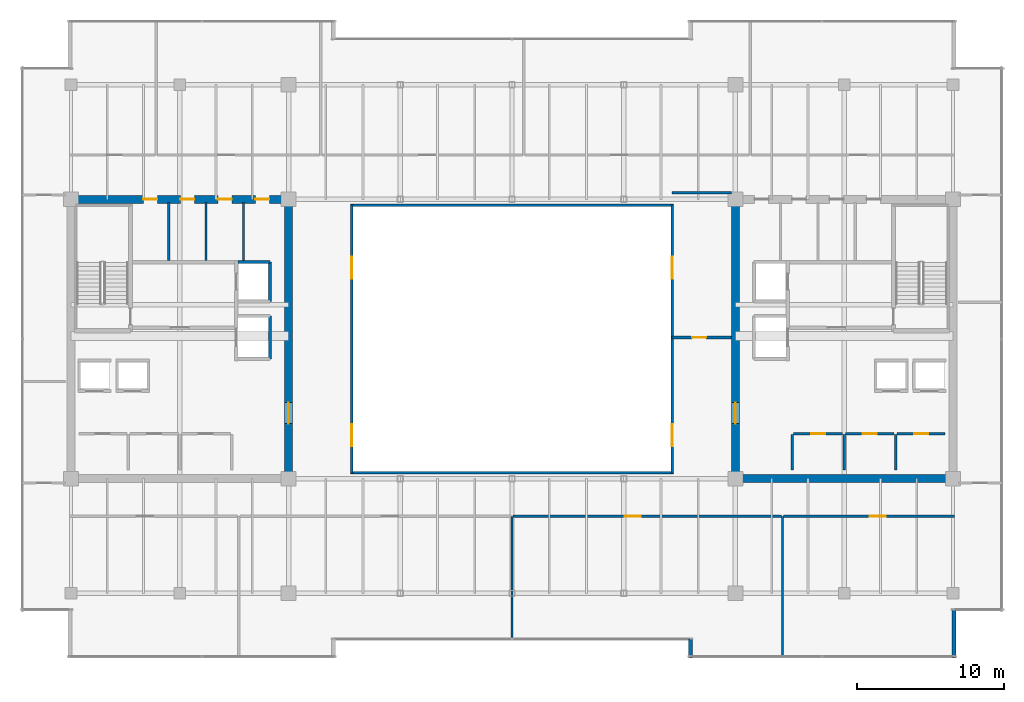
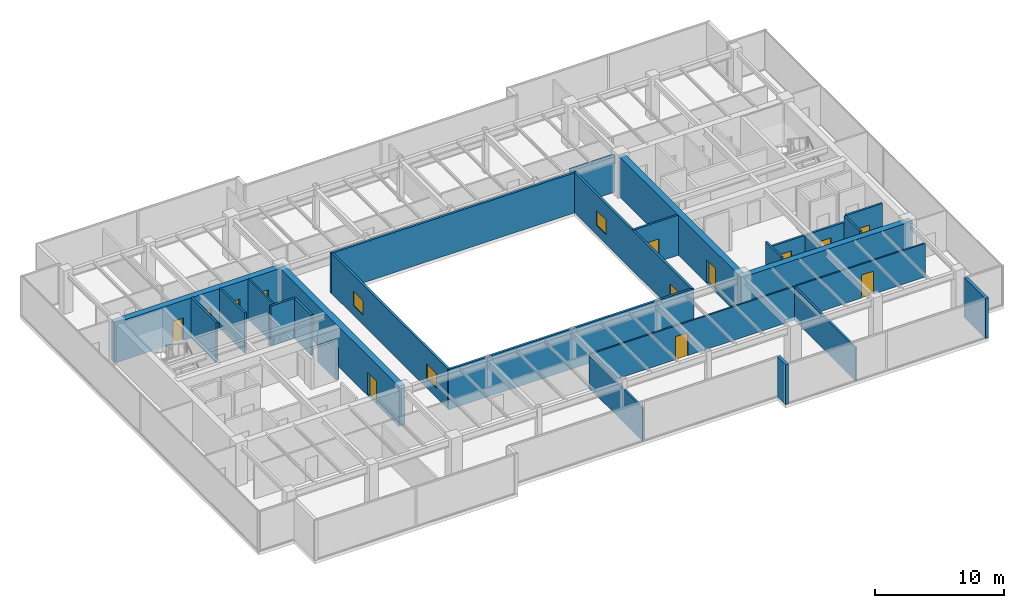
# One storey, part 29 of 33: 28 walls, 12 doors, 4 windows, 16 openings.
"""IFC4 building model written with IfcOpenShell, lengths in metres."""

import ifcopenshell
import ifcopenshell.guid

model = None  # the IFC model being written
_history = None  # IfcOwnerHistory: only IFC2X3 demands one
_inside = {}  # id of a spatial element -> (the spatial element, [elements in it])
_under = {}  # id of a project, library or spatial element -> (it, [spatial elements below it])
_declared = {}  # id of a project -> (the project, [libraries it declares])
_typed = {}  # id of a type object -> (the type object, [elements of that type])
_made_of = {}  # id of a material, layer set ... -> (it, [elements and type objects made of it])


def new_model(schema):
    """Start an empty IFC model of exactly this schema.

    Asked for "IFC4X3", IfcOpenShell would pick the latest addendum, in which some entities
    have other attributes; the version numbers below select the first issue.
    IFC2X3 requires an IfcOwnerHistory on every rooted entity: one is made here for all.
    """
    global model, _history
    if schema == "IFC4X3":
        model = ifcopenshell.file(schema_version=(4, 3, 0, 0))
    else:
        model = ifcopenshell.file(schema=schema)
    _inside.clear()
    _under.clear()
    _declared.clear()
    _typed.clear()
    _made_of.clear()
    _history = None
    if model.schema == "IFC2X3":
        org = make("IfcOrganization", Name="unknown")
        user = make(
            "IfcPersonAndOrganization",
            ThePerson=make("IfcPerson", FamilyName="unknown"),
            TheOrganization=org,
        )
        app = make(
            "IfcApplication",
            ApplicationDeveloper=org,
            Version="unknown",
            ApplicationFullName="unknown",
            ApplicationIdentifier="unknown",
        )
        _history = make(
            "IfcOwnerHistory",
            OwningUser=user,
            OwningApplication=app,
            ChangeAction="ADDED",
            CreationDate=0,
        )
    return model


def make(cls, **values):
    """One entity of the class cls with the attributes given. An attribute that is None is left unset."""
    return model.create_entity(
        cls, **{name: value for name, value in values.items() if value is not None}
    )


def rooted(cls, **values):
    """An entity with a GlobalId (a new one), such as an element, a storey or a relation."""
    return make(cls, GlobalId=ifcopenshell.guid.new(), OwnerHistory=_history, **values)


def si_unit(unit_type, name, prefix=None):
    """IfcSIUnit, for example si_unit("LENGTHUNIT", "METRE", prefix="MILLI")."""
    return make("IfcSIUnit", UnitType=unit_type, Prefix=prefix, Name=name)


def assignment(units):
    """IfcUnitAssignment: the units of a project."""
    return None if units is None else make("IfcUnitAssignment", Units=units)


def point(xyz):
    """IfcCartesianPoint."""
    return None if xyz is None else make("IfcCartesianPoint", Coordinates=xyz)


def direction(xyz):
    """IfcDirection."""
    return None if xyz is None else make("IfcDirection", DirectionRatios=xyz)


def frame(location, z_axis=None, x_axis=None):
    """IfcAxis2Placement3D, a coordinate frame: its origin and axes. An axis left out is left unset."""
    return make(
        "IfcAxis2Placement3D",
        Location=point(location),
        Axis=direction(z_axis),
        RefDirection=direction(x_axis),
    )


def frame_2d(location, x_axis=None):
    """IfcAxis2Placement2D, a coordinate frame in the plane: its origin and x axis."""
    return make(
        "IfcAxis2Placement2D", Location=point(location), RefDirection=direction(x_axis)
    )


def origin():
    """The frame at (0, 0, 0) with its axes left unset."""
    return frame((0.0, 0.0, 0.0))


def place(relative_to, where):
    """IfcLocalPlacement: puts the frame where relative to a parent placement (None: the world)."""
    return make(
        "IfcLocalPlacement", PlacementRelTo=relative_to, RelativePlacement=where
    )


def context(
    kind, dimensions, precision=None, world=None, true_north=None, identifier=None
):
    """IfcGeometricRepresentationContext, for example the 3D "Model" context."""
    return make(
        "IfcGeometricRepresentationContext",
        ContextIdentifier=identifier,
        ContextType=kind,
        CoordinateSpaceDimension=dimensions,
        Precision=precision,
        WorldCoordinateSystem=world,
        TrueNorth=true_north,
    )


def subcontext(parent, identifier, kind, view, scale=None):
    """IfcGeometricRepresentationSubContext, for example "Body" below "Model"."""
    return make(
        "IfcGeometricRepresentationSubContext",
        ContextIdentifier=identifier,
        ContextType=kind,
        ParentContext=parent,
        TargetScale=scale,
        TargetView=view,
    )


def project(units=None, contexts=None):
    """IfcProject with its units and contexts."""
    return rooted(
        "IfcProject",
        Name="project",
        RepresentationContexts=contexts,
        UnitsInContext=assignment(units),
    )


def spatial(cls, under=None, at=None, **own):
    """A site, building, storey or space (cls), placed at a placement, below another one or the project."""
    s = rooted(cls, ObjectPlacement=at, **own)
    if under is not None:
        _under.setdefault(under.id(), (under, []))[1].append(s)
    return s


def profile(cls, at=None, kind="AREA", **sizes):
    """A parametric profile (cls). Its sizes go by their IFC names, for example OverallWidth=200.0."""
    return make(cls, ProfileType=kind, Position=at, **sizes)


def rectangle(**sizes):
    """IfcRectangleProfileDef."""
    return profile("IfcRectangleProfileDef", **sizes)


def extrude(swept, where, along, depth):
    """IfcExtrudedAreaSolid: the profile swept, set in the frame where, extruded along a direction by depth."""
    return make(
        "IfcExtrudedAreaSolid",
        SweptArea=swept,
        Position=where,
        ExtrudedDirection=direction(along),
        Depth=depth,
    )


def shape(context_of_items, identifier, shape_type, items):
    """IfcShapeRepresentation: the items that make up one representation, for example the "Body"."""
    return make(
        "IfcShapeRepresentation",
        ContextOfItems=context_of_items,
        RepresentationIdentifier=identifier,
        RepresentationType=shape_type,
        Items=items,
    )


def source(mapping_origin, context_of_items, identifier, shape_type, items):
    """IfcRepresentationMap: a shape defined once, which mapped items show again and again."""
    return make(
        "IfcRepresentationMap",
        MappingOrigin=mapping_origin,
        MappedRepresentation=shape(context_of_items, identifier, shape_type, items),
    )


def transform(
    local_origin,
    x_axis=None,
    y_axis=None,
    z_axis=None,
    scale=None,
    scale2=None,
    scale3=None,
    uniform=True,
):
    """IfcCartesianTransformationOperator3D, or its non-uniform kind. x_axis, y_axis, z_axis: its Axis1, 2, 3."""
    if uniform:
        return make(
            "IfcCartesianTransformationOperator3D",
            Axis1=direction(x_axis),
            Axis2=direction(y_axis),
            LocalOrigin=point(local_origin),
            Scale=scale,
            Axis3=direction(z_axis),
        )
    return make(
        "IfcCartesianTransformationOperator3DnonUniform",
        Axis1=direction(x_axis),
        Axis2=direction(y_axis),
        LocalOrigin=point(local_origin),
        Scale=scale,
        Axis3=direction(z_axis),
        Scale2=scale2,
        Scale3=scale3,
    )


def mapped(mapping_source, mapping_target):
    """IfcMappedItem: shows the shape of a source again, moved by a transform."""
    return make(
        "IfcMappedItem", MappingSource=mapping_source, MappingTarget=mapping_target
    )


def material(Name=None, Category=None):
    """IfcMaterial."""
    return make("IfcMaterial", Name=Name, Category=Category)


def layer(
    of_material, thickness, ventilated=None, Name=None, Category=None, Priority=None
):
    """IfcMaterialLayer: one layer of a wall or slab, of a material (None: an air gap)."""
    return make(
        "IfcMaterialLayer",
        Material=of_material,
        LayerThickness=thickness,
        IsVentilated=ventilated,
        Name=Name,
        Category=Category,
        Priority=Priority,
    )


def layer_set(layers, Name=None):
    """IfcMaterialLayerSet."""
    return make("IfcMaterialLayerSet", MaterialLayers=layers, LayerSetName=Name)


def made_of(thing, what):
    """Note that an element or type object is made of a material, layer set ...; save() writes the relation."""
    if what is not None:
        _made_of.setdefault(what.id(), (what, []))[1].append(thing)
    return thing


def type_object(cls, material=None, **own):
    """A type object (cls), such as IfcWallType, which elements share."""
    return made_of(rooted(cls, **own), material)


def type_shapes(of_type, sources):
    """Give a type object the sources (RepresentationMaps) that its elements show as mapped items."""
    of_type.RepresentationMaps = sources


def element(
    cls,
    number,
    at=None,
    inside=None,
    cuts=None,
    type_object=None,
    material=None,
    context=None,
    identifier="Body",
    shape_type=None,
    held_by="IfcProductDefinitionShape",
    body=None,
    shapes=None,
    **own,
):
    """One element of the class cls, such as IfcWall. Its Tag is "e" and its number.

    at: its placement. inside: the storey or other place that contains it. cuts: it is an
    opening in that element (IfcRelVoidsElement). A single representation is given by context,
    identifier, shape_type and body (its items); several are given by shapes. held_by: the class
    of the entity that holds the representations. save() writes the other relations.
    """
    e = rooted(cls, Tag="e%d" % number, ObjectPlacement=at, **own)
    if body is not None:
        shapes = [shape(context, identifier, shape_type, body)]
    if shapes is not None:
        e.Representation = make(held_by, Representations=shapes)
    if inside is not None:
        _inside.setdefault(inside.id(), (inside, []))[1].append(e)
    if cuts is not None:
        rooted(
            "IfcRelVoidsElement", RelatingBuildingElement=cuts, RelatedOpeningElement=e
        )
    if type_object is not None:
        _typed.setdefault(type_object.id(), (type_object, []))[1].append(e)
    return made_of(e, material)


def fill(opening, filler):
    """IfcRelFillsElement: the door or window that sits in an opening."""
    return rooted(
        "IfcRelFillsElement",
        RelatingOpeningElement=opening,
        RelatedBuildingElement=filler,
    )


def aggregate(whole, parts):
    """IfcRelAggregates: a whole, such as a stair, and the parts it consists of."""
    return rooted("IfcRelAggregates", RelatingObject=whole, RelatedObjects=parts)


def save(model, path):
    """Write the relations noted so far, then the file.

    IfcRelAggregates (storeys below a building ...), IfcRelContainedInSpatialStructure (elements
    in a storey), IfcRelDefinesByType, IfcRelAssociatesMaterial and IfcRelDeclares: one each for
    every whole, place, type object, material and project.
    """
    for whole, parts in _under.values():
        aggregate(whole, parts)
    for where, things in _inside.values():
        rooted(
            "IfcRelContainedInSpatialStructure",
            RelatedElements=things,
            RelatingStructure=where,
        )
    for kind, things in _typed.values():
        rooted("IfcRelDefinesByType", RelatedObjects=things, RelatingType=kind)
    for what, things in _made_of.values():
        rooted("IfcRelAssociatesMaterial", RelatedObjects=things, RelatingMaterial=what)
    for by, libraries in _declared.values():
        rooted("IfcRelDeclares", RelatingContext=by, RelatedDefinitions=libraries)
    model.write(path)


model = new_model("IFC4")

# Units and contexts
model_context = context("Model", 3, precision=1e-05, world=origin(), true_north=direction((0.0, 1.0)))
body_context = subcontext(model_context, "Body", "Model", "MODEL_VIEW")
ifc_project = project(units=[si_unit("LENGTHUNIT", "METRE"), si_unit("AREAUNIT", "SQUARE_METRE"), si_unit("VOLUMEUNIT", "CUBIC_METRE"), si_unit("PLANEANGLEUNIT", "RADIAN"), si_unit("MASSUNIT", "GRAM", prefix="KILO")], contexts=[model_context])

# Site, building, storey
site_placement = place(None, origin())
site = spatial("IfcSite", under=ifc_project, at=site_placement, CompositionType="ELEMENT")
building_placement = place(site_placement, origin())
building = spatial("IfcBuilding", under=site, at=building_placement, Name="Haelvirn Gate Laboratories", CompositionType="ELEMENT")
storey_placement = place(building_placement, frame((0.0, 0.0, 258.800048828125)))
storey = spatial("IfcBuildingStorey", under=building, at=storey_placement, Name="L62", CompositionType="ELEMENT", Elevation=258.800048828125)

# Walls
ifc_material_1 = material(Name="Thermally-broken bronze aluminium rainscreen & mineral wool", Category="aluminium")
ifc_layer_1 = layer(ifc_material_1, 0.280029296875, Name="EW-TERR-280")
ifc_layer_set_1 = layer_set([ifc_layer_1], Name="Thermally-broken bronze aluminium rainscreen & mineral wool")
wall_type_1 = type_object("IfcWallType", Name="EW-TERR-280", PredefinedType="STANDARD", material=ifc_layer_set_1)
wall_1_placement = place(storey_placement, frame((49.5400390625, 3.89306640625, 0.0), z_axis=(0.0, 0.0, 1.0), x_axis=(0.0, -1.0, 0.0)))
element("IfcWall", 1, at=wall_1_placement, inside=storey, type_object=wall_type_1, Name="L62 Atrium Recess Bronze Return Wall 03", PredefinedType="STANDARD", context=body_context, shape_type="SweptSolid", body=[
    extrude(rectangle(XDim=1.29296875, YDim=0.280029296875, at=frame_2d((0.646484375, 0.0))), origin(), (0.0, 0.0, 1.0), 3.800048828125),
])
wall_2_placement = place(storey_placement, frame((67.4599609375, 2.60009765625, 0.0), z_axis=(0.0, 0.0, 1.0), x_axis=(0.0, 1.0, 0.0)))
element("IfcWall", 2, at=wall_2_placement, inside=storey, type_object=wall_type_1, Name="L62 Atrium Recess Bronze Return Wall 05", PredefinedType="STANDARD", context=body_context, shape_type="SweptSolid", body=[
    extrude(rectangle(XDim=3.287841796875, YDim=0.280029296875, at=frame_2d((1.64404296875, 0.0))), origin(), (0.0, 0.0, 1.0), 3.800048828125),
])
ifc_material_2 = material(Name="Double-layer acoustic gypsum laboratory partition", Category="gypsum")
ifc_layer_2 = layer(ifc_material_2, 0.159912109375, Name="IW-ACOUST-160")
ifc_layer_set_2 = layer_set([ifc_layer_2], Name="Double-layer acoustic gypsum laboratory partition")
wall_type_2 = type_object("IfcWallType", Name="IW-ACOUST-160", PredefinedType="PARTITIONING", material=ifc_layer_set_2)
wall_3_placement = place(storey_placement, frame((37.39990234375, 3.909912109375, 0.0), z_axis=(0.0, 0.0, 1.0), x_axis=(0.0, 1.0, 0.0)))
element("IfcWall", 3, at=wall_3_placement, inside=storey, type_object=wall_type_2, Name="L62 Interior Wall IW-L62-SDIV-02", PredefinedType="PARTITIONING", context=body_context, shape_type="SweptSolid", body=[
    extrude(rectangle(XDim=8.330078125, YDim=0.159912109375, at=frame_2d((4.1650390625, 0.0))), origin(), (0.0, 0.0, 1.0), 3.135009765625),
])
wall_4_placement = place(storey_placement, frame((55.800048828125, 2.7099609375, 0.0), z_axis=(0.0, 0.0, 1.0), x_axis=(0.0, 1.0, 0.0)))
element("IfcWall", 4, at=wall_4_placement, inside=storey, type_object=wall_type_2, Name="L62 Interior Wall IW-L62-SDIV-03", PredefinedType="PARTITIONING", context=body_context, shape_type="SweptSolid", body=[
    extrude(rectangle(XDim=9.530029296875, YDim=0.159912109375, at=frame_2d((4.76513671875, 0.0))), origin(), (0.0, 0.0, 1.0), 3.135009765625),
])
ifc_material_3 = material(Name="Fire-rated acoustic gypsum board partition", Category="gypsum")
ifc_layer_3 = layer(ifc_material_3, 0.175048828125, Name="IW-ACOUST-180")
ifc_layer_set_3 = layer_set([ifc_layer_3], Name="Fire-rated acoustic gypsum board partition")
wall_type_3 = type_object("IfcWallType", Name="IW-ACOUST-180", PredefinedType="PARTITIONING", material=ifc_layer_set_3)
wall_5_placement = place(storey_placement, frame((48.300048828125, 34.260009765625, 0.0), z_axis=(0.0, 0.0, 1.0), x_axis=(1.0, 0.0, 0.0)))
element("IfcWall", 5, at=wall_5_placement, inside=storey, type_object=wall_type_3, Name="L62 Interior Wall IW-L62-EPOD-N", PredefinedType="PARTITIONING", context=body_context, shape_type="SweptSolid", body=[
    extrude(rectangle(XDim=4.02490234375, YDim=0.175048828125, at=frame_2d((2.012451171875, 0.0))), origin(), (0.0, 0.0, 1.0), 3.534912109375),
])

# Wall, opening, door
wall_6_placement = place(storey_placement, frame((48.300048828125, 24.39990234375, 0.0), z_axis=(0.0, 0.0, 1.0), x_axis=(1.0, 0.0, 0.0)))
wall_6 = element("IfcWall", 6, at=wall_6_placement, inside=storey, type_object=wall_type_3, Name="L62 Interior Wall IW-L62-EPOD-S", PredefinedType="PARTITIONING", context=body_context, shape_type="SweptSolid", body=[
    extrude(rectangle(XDim=4.02490234375, YDim=0.175048828125, at=frame_2d((2.012451171875, 0.0))), origin(), (0.0, 0.0, 1.0), 3.800048828125),
])
opening_1_placement = place(wall_6_placement, frame((1.35009765625, 0.0, 0.0)))
opening_1 = element("IfcOpeningElement", 7, at=opening_1_placement, cuts=wall_6, Name="Opening FD4", PredefinedType="OPENING", context=body_context, shape_type="SweptSolid", body=[
    extrude(rectangle(XDim=0.949951171875, YDim=2.14990234375, at=frame_2d((0.47509765625, 1.074951171875))), frame((0.0, 0.09765625, 0.0), z_axis=(0.0, -1.0, 0.0), x_axis=(1.0, 0.0, 0.0)), (0.0, 0.0, 1.0), 0.195068359375),
])
ifc_material_4 = material(Name="Fire-rated steel SM355 core service door", Category="steel")
door_type_1 = type_object("IfcDoorType", Name="DR-FD-950", OperationType="NOTDEFINED", PredefinedType="DOOR", material=ifc_material_4)
shared_shape_1 = source(origin(), body_context, "Body", "SweptSolid", [
    extrude(rectangle(XDim=0.949951171875, YDim=2.14990234375, at=frame_2d((0.47509765625, 1.074951171875))), frame((0.0, 0.02490234375, 0.0), z_axis=(0.0, -1.0, 0.0), x_axis=(1.0, 0.0, 0.0)), (0.0, 0.0, 1.0), 0.050048828125),
])
type_shapes(door_type_1, [shared_shape_1])
door_1_placement = place(opening_1_placement, origin())
door_1 = element("IfcDoor", 8, at=door_1_placement, inside=storey, type_object=door_type_1, Name="L62 High-Zone Collaboration Suite Door", OperationType="SINGLE_SWING_LEFT", OverallHeight=2.14990234375, OverallWidth=0.949951171875, PredefinedType="DOOR", context=body_context, shape_type="MappedRepresentation", body=[
    mapped(shared_shape_1, transform((0.0, 0.0, 0.0), scale=1.0)),
])
fill(opening_1, door_1)

# Wall, openings, windows
ifc_material_5 = material(Name="Tempered fire-rated borosilicate glass & anodised aluminium", Category="aluminium")
ifc_layer_4 = layer(ifc_material_5, 0.195068359375, Name="IW-GLAZ-200")
ifc_layer_set_4 = layer_set([ifc_layer_4], Name="Tempered fire-rated borosilicate glass & anodised aluminium")
wall_type_4 = type_object("IfcWallType", Name="IW-GLAZ-200", PredefinedType="SOLIDWALL", material=ifc_layer_set_4)
wall_7_placement = place(storey_placement, frame((26.5, 15.199951171875, 0.0), z_axis=(0.0, 0.0, 1.0), x_axis=(0.0, 1.0, 0.0)))
wall_7 = element("IfcWall", 9, at=wall_7_placement, inside=storey, type_object=wall_type_4, Name="L62 Interior Wall IW-L62-ATRIUM-W", PredefinedType="SOLIDWALL", context=body_context, shape_type="SweptSolid", body=[
    extrude(rectangle(XDim=18.199951171875, YDim=0.195068359375, at=frame_2d((9.10009765625, 0.0))), origin(), (0.0, 0.0, 1.0), 3.800048828125),
])
opening_2_placement = place(wall_7_placement, frame((1.800048828125, 0.0, 0.89990234375)))
opening_2 = element("IfcOpeningElement", 10, at=opening_2_placement, cuts=wall_7, Name="Opening W5", PredefinedType="OPENING", context=body_context, shape_type="SweptSolid", body=[
    extrude(rectangle(XDim=1.5, YDim=1.39990234375, at=frame_2d((0.75, 0.699951171875))), frame((0.0, 0.107421875, 0.0), z_axis=(0.0, -1.0, 0.0), x_axis=(1.0, 0.0, 0.0)), (0.0, 0.0, 1.0), 0.215087890625),
])
opening_3_placement = place(wall_7_placement, frame((13.199951171875, 0.0, 0.89990234375)))
opening_3 = element("IfcOpeningElement", 11, at=opening_3_placement, cuts=wall_7, Name="Opening W5", PredefinedType="OPENING", context=body_context, shape_type="SweptSolid", body=[
    extrude(rectangle(XDim=1.5, YDim=1.39990234375, at=frame_2d((0.75, 0.699951171875))), frame((0.0, 0.107421875, 0.0), z_axis=(0.0, -1.0, 0.0), x_axis=(1.0, 0.0, 0.0)), (0.0, 0.0, 1.0), 0.215087890625),
])
ifc_material_6 = material(Name="Fire-rated EI 120 borosilicate atrium vision glazing", Category="glass")
window_type = type_object("IfcWindowType", Name="WN-ATR-1500", PartitioningType="SINGLE_PANEL", PredefinedType="WINDOW", material=ifc_material_6)
shared_shape_2 = source(origin(), body_context, "Body", "SweptSolid", [
    extrude(rectangle(XDim=1.5, YDim=1.39990234375, at=frame_2d((0.75, 0.699951171875))), frame((0.0, 0.030029296875, 0.0), z_axis=(0.0, -1.0, 0.0), x_axis=(1.0, 0.0, 0.0)), (0.0, 0.0, 1.0), 0.06005859375),
])
type_shapes(window_type, [shared_shape_2])
window_1_placement = place(opening_2_placement, origin())
window_1 = element("IfcWindow", 12, at=window_1_placement, inside=storey, type_object=window_type, Name="L62 Atrium Observation Window 1", OverallHeight=1.39990234375, OverallWidth=1.5, PartitioningType="SINGLE_PANEL", PredefinedType="WINDOW", context=body_context, shape_type="MappedRepresentation", body=[
    mapped(shared_shape_2, transform((0.0, 0.0, 0.0), scale=1.0)),
])
fill(opening_2, window_1)
window_2_placement = place(opening_3_placement, origin())
window_2 = element("IfcWindow", 13, at=window_2_placement, inside=storey, type_object=window_type, Name="L62 Atrium Observation Window 2", OverallHeight=1.39990234375, OverallWidth=1.5, PartitioningType="SINGLE_PANEL", PredefinedType="WINDOW", context=body_context, shape_type="MappedRepresentation", body=[
    mapped(shared_shape_2, transform((0.0, 0.0, 0.0), scale=1.0)),
])
fill(opening_3, window_2)

wall_8_placement = place(storey_placement, frame((48.300048828125, 15.199951171875, 0.0), z_axis=(0.0, 0.0, 1.0), x_axis=(0.0, 1.0, 0.0)))
wall_8 = element("IfcWall", 14, at=wall_8_placement, inside=storey, type_object=wall_type_4, Name="L62 Interior Wall IW-L62-ATRIUM-E", PredefinedType="SOLIDWALL", context=body_context, shape_type="SweptSolid", body=[
    extrude(rectangle(XDim=18.199951171875, YDim=0.195068359375, at=frame_2d((9.10009765625, 0.0))), origin(), (0.0, 0.0, 1.0), 3.800048828125),
])
opening_4_placement = place(wall_8_placement, frame((1.800048828125, 0.0, 0.89990234375)))
opening_4 = element("IfcOpeningElement", 15, at=opening_4_placement, cuts=wall_8, Name="Opening W5", PredefinedType="OPENING", context=body_context, shape_type="SweptSolid", body=[
    extrude(rectangle(XDim=1.5, YDim=1.39990234375, at=frame_2d((0.75, 0.699951171875))), frame((0.0, 0.107421875, 0.0), z_axis=(0.0, -1.0, 0.0), x_axis=(1.0, 0.0, 0.0)), (0.0, 0.0, 1.0), 0.215087890625),
])
opening_5_placement = place(wall_8_placement, frame((13.199951171875, 0.0, 0.89990234375)))
opening_5 = element("IfcOpeningElement", 16, at=opening_5_placement, cuts=wall_8, Name="Opening W5", PredefinedType="OPENING", context=body_context, shape_type="SweptSolid", body=[
    extrude(rectangle(XDim=1.5, YDim=1.39990234375, at=frame_2d((0.75, 0.699951171875))), frame((0.0, 0.107421875, 0.0), z_axis=(0.0, -1.0, 0.0), x_axis=(1.0, 0.0, 0.0)), (0.0, 0.0, 1.0), 0.215087890625),
])
window_3_placement = place(opening_4_placement, origin())
window_3 = element("IfcWindow", 17, at=window_3_placement, inside=storey, type_object=window_type, Name="L62 Atrium Observation Window 1", OverallHeight=1.39990234375, OverallWidth=1.5, PartitioningType="SINGLE_PANEL", PredefinedType="WINDOW", context=body_context, shape_type="MappedRepresentation", body=[
    mapped(shared_shape_2, transform((0.0, 0.0, 0.0), scale=1.0)),
])
fill(opening_4, window_3)
window_4_placement = place(opening_5_placement, origin())
window_4 = element("IfcWindow", 18, at=window_4_placement, inside=storey, type_object=window_type, Name="L62 Atrium Observation Window 2", OverallHeight=1.39990234375, OverallWidth=1.5, PartitioningType="SINGLE_PANEL", PredefinedType="WINDOW", context=body_context, shape_type="MappedRepresentation", body=[
    mapped(shared_shape_2, transform((0.0, 0.0, 0.0), scale=1.0)),
])
fill(opening_5, window_4)

# Walls
for number, where, z_axis, x_axis, name in (
    (19, (26.39990234375, 15.199951171875, 0.0), (0.0, 0.0, 1.0), (1.0, 0.0, 0.0), "L62 Interior Wall IW-L62-ATRIUM-S"),
    (20, (26.39990234375, 33.39990234375, 0.0), (0.0, 0.0, 1.0), (1.0, 0.0, 0.0), "L62 Interior Wall IW-L62-ATRIUM-N"),
):
    element("IfcWall", number, at=place(storey_placement, frame(where, z_axis=z_axis, x_axis=x_axis)), inside=storey, type_object=wall_type_4, Name=name, PredefinedType="SOLIDWALL", context=body_context, shape_type="SweptSolid", body=[
        extrude(rectangle(XDim=22.0, YDim=0.195068359375, at=frame_2d((11.0, 0.0))), origin(), (0.0, 0.0, 1.0), 3.800048828125),
    ])

# Wall, opening, door
ifc_material_7 = material(Name="Acoustic mineral-wool gypsum board partition", Category="gypsum")
ifc_layer_5 = layer(ifc_material_7, 0.139892578125, Name="IW-PART-140")
ifc_layer_set_5 = layer_set([ifc_layer_5], Name="Acoustic mineral-wool gypsum board partition")
wall_type_5 = type_object("IfcWallType", Name="IW-PART-140", PredefinedType="PARTITIONING", material=ifc_layer_set_5)
wall_9_placement = place(storey_placement, frame((37.47998046875, 12.239990234375, 0.0), z_axis=(0.0, 0.0, 1.0), x_axis=(1.0, 0.0, 0.0)))
wall_9 = element("IfcWall", 21, at=wall_9_placement, inside=storey, type_object=wall_type_5, Name="L62 Interior Wall IW-L62-SCORR-03", PredefinedType="PARTITIONING", context=body_context, shape_type="SweptSolid", body=[
    extrude(rectangle(XDim=18.239990234375, YDim=0.139892578125, at=frame_2d((9.1201171875, 0.0))), origin(), (0.0, 0.0, 1.0), 3.197021484375),
])
opening_6_placement = place(wall_9_placement, frame((7.58349609375, 0.0, 0.0)))
opening_6 = element("IfcOpeningElement", 22, at=opening_6_placement, cuts=wall_9, Name="Opening D1", PredefinedType="OPENING", context=body_context, shape_type="SweptSolid", body=[
    extrude(rectangle(XDim=1.10009765625, YDim=2.179931640625, at=frame_2d((0.550048828125, 1.08984375))), frame((0.0, 0.080078125, 0.0), z_axis=(0.0, -1.0, 0.0), x_axis=(1.0, 0.0, 0.0)), (0.0, 0.0, 1.0), 0.159912109375),
])
ifc_material_8 = material(Name="Vision-panel acoustic solid-core timber lab door", Category="wood")
door_type_2 = type_object("IfcDoorType", Name="DR-LAB-1100", OperationType="NOTDEFINED", PredefinedType="DOOR", material=ifc_material_8)
shared_shape_3 = source(origin(), body_context, "Body", "SweptSolid", [
    extrude(rectangle(XDim=1.10009765625, YDim=2.179931640625, at=frame_2d((0.550048828125, 1.08984375))), frame((0.0, 0.02490234375, 0.0), z_axis=(0.0, -1.0, 0.0), x_axis=(1.0, 0.0, 0.0)), (0.0, 0.0, 1.0), 0.050048828125),
])
type_shapes(door_type_2, [shared_shape_3])
door_2_placement = place(opening_6_placement, origin())
door_2 = element("IfcDoor", 23, at=door_2_placement, inside=storey, type_object=door_type_2, Name="L62 Laser-Safety Consult Room Door S3", OperationType="SINGLE_SWING_LEFT", OverallHeight=2.179931640625, OverallWidth=1.10009765625, PredefinedType="DOOR", context=body_context, shape_type="MappedRepresentation", body=[
    mapped(shared_shape_3, transform((0.0, 0.0, 0.0), scale=1.0)),
])
fill(opening_6, door_2)

wall_10_placement = place(storey_placement, frame((55.8798828125, 12.239990234375, 0.0), z_axis=(0.0, 0.0, 1.0), x_axis=(1.0, 0.0, 0.0)))
wall_10 = element("IfcWall", 24, at=wall_10_placement, inside=storey, type_object=wall_type_5, Name="L62 Interior Wall IW-L62-SCORR-04", PredefinedType="PARTITIONING", context=body_context, shape_type="SweptSolid", body=[
    extrude(rectangle(XDim=11.610107421875, YDim=0.139892578125, at=frame_2d((5.80517578125, 0.0))), origin(), (0.0, 0.0, 1.0), 3.197021484375),
])
opening_7_placement = place(wall_10_placement, frame((5.843505859375, 0.0, 0.0)))
opening_7 = element("IfcOpeningElement", 25, at=opening_7_placement, cuts=wall_10, Name="Opening D1", PredefinedType="OPENING", context=body_context, shape_type="SweptSolid", body=[
    extrude(rectangle(XDim=1.10009765625, YDim=2.179931640625, at=frame_2d((0.550048828125, 1.08984375))), frame((0.0, 0.080078125, 0.0), z_axis=(0.0, -1.0, 0.0), x_axis=(1.0, 0.0, 0.0)), (0.0, 0.0, 1.0), 0.159912109375),
])
door_3_placement = place(opening_7_placement, origin())
door_3 = element("IfcDoor", 26, at=door_3_placement, inside=storey, type_object=door_type_2, Name="L62 Occupational Biosafety Clinic Door S4", OperationType="SINGLE_SWING_RIGHT", OverallHeight=2.179931640625, OverallWidth=1.10009765625, PredefinedType="DOOR", context=body_context, shape_type="MappedRepresentation", body=[
    mapped(shared_shape_3, transform((0.0, 0.0, 0.0), scale=1.0)),
])
fill(opening_7, door_3)

# Walls
ifc_material_9 = material(Name="Cement-board restroom plumbing chase wall", Category="gypsum")
ifc_layer_6 = layer(ifc_material_9, 0.155029296875, Name="IW-PLUMB-160")
ifc_layer_set_6 = layer_set([ifc_layer_6], Name="Cement-board restroom plumbing chase wall")
wall_type_6 = type_object("IfcWallType", Name="IW-PLUMB-160", PredefinedType="PLUMBINGWALL", material=ifc_layer_set_6)
for number, where, z_axis, x_axis, name in (
    (27, (14.0400390625, 29.64990234375, 0.0), (0.0, 0.0, 1.0), (0.0, 1.0, 0.0), "L62 Interior Wall IW-L62-W-CDIV-1"),
    (28, (16.590087890625, 29.64990234375, 0.0), (0.0, 0.0, 1.0), (0.0, 1.0, 0.0), "L62 Interior Wall IW-L62-W-CDIV-2"),
    (29, (19.139892578125, 29.64990234375, 0.0), (0.0, 0.0, 1.0), (0.0, 1.0, 0.0), "L62 Interior Wall IW-L62-W-CDIV-3"),
):
    element("IfcWall", number, at=place(storey_placement, frame(where, z_axis=z_axis, x_axis=x_axis)), inside=storey, type_object=wall_type_6, Name=name, PredefinedType="PLUMBINGWALL", context=body_context, shape_type="SweptSolid", body=[
        extrude(rectangle(XDim=3.93017578125, YDim=0.155029296875, at=frame_2d((1.965087890625, 0.0))), origin(), (0.0, 0.0, 1.0), 3.800048828125),
    ])

# Wall, opening, door
ifc_material_10 = material(Name="Concrete C40/50", Category="concrete")
ifc_layer_7 = layer(ifc_material_10, 0.179931640625, Name="IW-SHAFT-180")
ifc_layer_set_7 = layer_set([ifc_layer_7], Name="Concrete C40/50")
wall_type_7 = type_object("IfcWallType", Name="IW-SHAFT-180", PredefinedType="SOLIDWALL", material=ifc_layer_set_7)
wall_11_placement = place(storey_placement, frame((63.60009765625, 17.85009765625, 0.0), z_axis=(0.0, 0.0, 1.0), x_axis=(1.0, 0.0, 0.0)))
wall_11 = element("IfcWall", 30, at=wall_11_placement, inside=storey, type_object=wall_type_7, Name="L62 Interior Wall IW-L62-E-FREED-HN-1", PredefinedType="SOLIDWALL", context=body_context, shape_type="SweptSolid", body=[
    extrude(rectangle(XDim=3.25, YDim=0.179931640625, at=frame_2d((1.625, 0.0))), origin(), (0.0, 0.0, 1.0), 3.800048828125),
])
opening_8_placement = place(wall_11_placement, frame((1.14990234375, 0.0, 0.0)))
opening_8 = element("IfcOpeningElement", 31, at=opening_8_placement, cuts=wall_11, Name="Opening FD4", PredefinedType="OPENING", context=body_context, shape_type="SweptSolid", body=[
    extrude(rectangle(XDim=0.949951171875, YDim=2.14990234375, at=frame_2d((0.47509765625, 1.074951171875))), frame((0.0, 0.10009765625, 0.0), z_axis=(0.0, -1.0, 0.0), x_axis=(1.0, 0.0, 0.0)), (0.0, 0.0, 1.0), 0.199951171875),
])
door_4_placement = place(opening_8_placement, origin())
door_4 = element("IfcDoor", 32, at=door_4_placement, inside=storey, type_object=door_type_1, Name="L62 Autoclave Bio-Prep Room Door", OperationType="SINGLE_SWING_LEFT", OverallHeight=2.14990234375, OverallWidth=0.949951171875, PredefinedType="DOOR", context=body_context, shape_type="MappedRepresentation", body=[
    mapped(shared_shape_1, transform((0.0, 0.0, 0.0), scale=1.0)),
])
fill(opening_8, door_4)

# Wall
wall_12_placement = place(storey_placement, frame((63.510009765625, 15.39990234375, 0.0), z_axis=(0.0, 0.0, 1.0), x_axis=(0.0, 1.0, 0.0)))
element("IfcWall", 33, at=wall_12_placement, inside=storey, type_object=wall_type_7, Name="L62 Interior Wall IW-L62-E-FREED-HE-1", PredefinedType="SOLIDWALL", context=body_context, shape_type="SweptSolid", body=[
    extrude(rectangle(XDim=2.400146484375, YDim=0.179931640625, at=frame_2d((1.2001953125, 0.0))), origin(), (0.0, 0.0, 1.0), 3.800048828125),
])

# Wall, opening, door
wall_13_placement = place(storey_placement, frame((60.10009765625, 17.85009765625, 0.0), z_axis=(0.0, 0.0, 1.0), x_axis=(1.0, 0.0, 0.0)))
wall_13 = element("IfcWall", 34, at=wall_13_placement, inside=storey, type_object=wall_type_7, Name="L62 Interior Wall IW-L62-E-FREED-HN-2", PredefinedType="SOLIDWALL", context=body_context, shape_type="SweptSolid", body=[
    extrude(rectangle(XDim=3.2998046875, YDim=0.179931640625, at=frame_2d((1.64990234375, 0.0))), origin(), (0.0, 0.0, 1.0), 3.197021484375),
])
opening_9_placement = place(wall_13_placement, frame((1.175048828125, 0.0, 0.0)))
opening_9 = element("IfcOpeningElement", 35, at=opening_9_placement, cuts=wall_13, Name="Opening FD4", PredefinedType="OPENING", context=body_context, shape_type="SweptSolid", body=[
    extrude(rectangle(XDim=0.949951171875, YDim=2.14990234375, at=frame_2d((0.47509765625, 1.074951171875))), frame((0.0, 0.10009765625, 0.0), z_axis=(0.0, -1.0, 0.0), x_axis=(1.0, 0.0, 0.0)), (0.0, 0.0, 1.0), 0.199951171875),
])
door_5_placement = place(opening_9_placement, origin())
door_5 = element("IfcDoor", 36, at=door_5_placement, inside=storey, type_object=door_type_1, Name="L62 Telemetry Analytics Room Door", OperationType="SINGLE_SWING_RIGHT", OverallHeight=2.14990234375, OverallWidth=0.949951171875, PredefinedType="DOOR", context=body_context, shape_type="MappedRepresentation", body=[
    mapped(shared_shape_1, transform((0.0, 0.0, 0.0), scale=1.0)),
])
fill(opening_9, door_5)

# Wall
wall_14_placement = place(storey_placement, frame((60.010009765625, 15.39990234375, 0.0), z_axis=(0.0, 0.0, 1.0), x_axis=(0.0, 1.0, 0.0)))
element("IfcWall", 37, at=wall_14_placement, inside=storey, type_object=wall_type_7, Name="L62 Interior Wall IW-L62-E-FREED-HE-2", PredefinedType="SOLIDWALL", context=body_context, shape_type="SweptSolid", body=[
    extrude(rectangle(XDim=2.400146484375, YDim=0.179931640625, at=frame_2d((1.2001953125, 0.0))), origin(), (0.0, 0.0, 1.0), 3.197021484375),
])

# Wall, opening, door
wall_15_placement = place(storey_placement, frame((56.550048828125, 17.85009765625, 0.0), z_axis=(0.0, 0.0, 1.0), x_axis=(1.0, 0.0, 0.0)))
wall_15 = element("IfcWall", 38, at=wall_15_placement, inside=storey, type_object=wall_type_7, Name="L62 Interior Wall IW-L62-E-FREED-HN-3", PredefinedType="SOLIDWALL", context=body_context, shape_type="SweptSolid", body=[
    extrude(rectangle(XDim=3.349853515625, YDim=0.179931640625, at=frame_2d((1.6748046875, 0.0))), origin(), (0.0, 0.0, 1.0), 3.197021484375),
])
opening_10_placement = place(wall_15_placement, frame((1.199951171875, 0.0, 0.0)))
opening_10 = element("IfcOpeningElement", 39, at=opening_10_placement, cuts=wall_15, Name="Opening FD4", PredefinedType="OPENING", context=body_context, shape_type="SweptSolid", body=[
    extrude(rectangle(XDim=0.949951171875, YDim=2.14990234375, at=frame_2d((0.47509765625, 1.074951171875))), frame((0.0, 0.10009765625, 0.0), z_axis=(0.0, -1.0, 0.0), x_axis=(1.0, 0.0, 0.0)), (0.0, 0.0, 1.0), 0.199951171875),
])
door_6_placement = place(opening_10_placement, origin())
door_6 = element("IfcDoor", 40, at=door_6_placement, inside=storey, type_object=door_type_1, Name="L62 Calibration Metrology Room Door", OperationType="SINGLE_SWING_LEFT", OverallHeight=2.14990234375, OverallWidth=0.949951171875, PredefinedType="DOOR", context=body_context, shape_type="MappedRepresentation", body=[
    mapped(shared_shape_1, transform((0.0, 0.0, 0.0), scale=1.0)),
])
fill(opening_10, door_6)

# Walls
wall_16_placement = place(storey_placement, frame((56.4599609375, 15.39990234375, 0.0), z_axis=(0.0, 0.0, 1.0), x_axis=(0.0, 1.0, 0.0)))
element("IfcWall", 41, at=wall_16_placement, inside=storey, type_object=wall_type_7, Name="L62 Interior Wall IW-L62-E-FREED-HE-3", PredefinedType="SOLIDWALL", context=body_context, shape_type="SweptSolid", body=[
    extrude(rectangle(XDim=2.400146484375, YDim=0.179931640625, at=frame_2d((1.2001953125, 0.0))), origin(), (0.0, 0.0, 1.0), 3.800048828125),
])
ifc_layer_8 = layer(ifc_material_10, 0.199951171875, Name="IW-SHAFT-200")
ifc_layer_set_8 = layer_set([ifc_layer_8], Name="Concrete C40/50")
wall_type_8 = type_object("IfcWallType", Name="IW-SHAFT-200", PredefinedType="SOLIDWALL", material=ifc_layer_set_8)
wall_17_placement = place(storey_placement, frame((20.949951171875, 26.85009765625, 0.0), z_axis=(0.0, 0.0, 1.0), x_axis=(0.0, 1.0, 0.0)))
element("IfcWall", 42, at=wall_17_placement, inside=storey, type_object=wall_type_8, Name="L62 Interior Wall IW-L62-FL1-BK", PredefinedType="SOLIDWALL", context=body_context, shape_type="SweptSolid", body=[
    extrude(rectangle(XDim=2.699951171875, YDim=0.199951171875, at=frame_2d((1.35009765625, 0.0))), origin(), (0.0, 0.0, 1.0), 3.800048828125),
])
wall_18_placement = place(storey_placement, frame((18.760009765625, 29.550048828125, 0.0), z_axis=(0.0, 0.0, 1.0), x_axis=(1.0, 0.0, 0.0)))
element("IfcWall", 43, at=wall_18_placement, inside=storey, type_object=wall_type_8, Name="L62 Interior Wall IW-L62-FL1-N", PredefinedType="SOLIDWALL", context=body_context, shape_type="SweptSolid", body=[
    extrude(rectangle(XDim=2.18994140625, YDim=0.199951171875, at=frame_2d((1.094970703125, 0.0))), origin(), (0.0, 0.0, 1.0), 3.800048828125),
])
wall_19_placement = place(storey_placement, frame((20.949951171875, 22.949951171875, 0.0), z_axis=(0.0, 0.0, 1.0), x_axis=(0.0, 1.0, 0.0)))
element("IfcWall", 44, at=wall_19_placement, inside=storey, type_object=wall_type_8, Name="L62 Interior Wall IW-L62-SL1-BK", PredefinedType="SOLIDWALL", context=body_context, shape_type="SweptSolid", body=[
    extrude(rectangle(XDim=2.900146484375, YDim=0.199951171875, at=frame_2d((1.4501953125, 0.0))), origin(), (0.0, 0.0, 1.0), 2.93505859375),
])

# Wall, openings, doors
ifc_material_11 = material(Name="Concrete C50/60", Category="concrete")
ifc_layer_9 = layer(ifc_material_11, 0.550048828125, Name="SW-CORE-550")
ifc_layer_set_9 = layer_set([ifc_layer_9], Name="Concrete C50/60")
wall_type_9 = type_object("IfcWallType", Name="SW-CORE-550", PredefinedType="SHEAR", material=ifc_layer_set_9)
wall_20_placement = place(storey_placement, frame((7.125, 33.800048828125, 0.0), z_axis=(0.0, 0.0, 1.0), x_axis=(1.0, 0.0, 0.0)))
wall_20 = element("IfcWall", 45, at=wall_20_placement, inside=storey, type_object=wall_type_9, Name="L62 W Core Shear Wall N", PredefinedType="SHEAR", context=body_context, shape_type="SweptSolid", body=[
    extrude(rectangle(XDim=15.35009765625, YDim=0.550048828125, at=frame_2d((7.675048828125, 0.0))), origin(), (0.0, 0.0, 1.0), 3.800048828125),
])
opening_11_placement = place(wall_20_placement, frame((5.199951171875, 0.0, 0.0)))
opening_11 = element("IfcOpeningElement", 46, at=opening_11_placement, cuts=wall_20, Name="Opening FD4", PredefinedType="OPENING", context=body_context, shape_type="SweptSolid", body=[
    extrude(rectangle(XDim=0.949951171875, YDim=2.14990234375, at=frame_2d((0.47509765625, 1.074951171875))), frame((0.0, 0.28515625, 0.0), z_axis=(0.0, -1.0, 0.0), x_axis=(1.0, 0.0, 0.0)), (0.0, 0.0, 1.0), 0.570068359375),
])
opening_12_placement = place(wall_20_placement, frame((7.715087890625, 0.0, 0.0)))
opening_12 = element("IfcOpeningElement", 47, at=opening_12_placement, cuts=wall_20, Name="Opening FD4", PredefinedType="OPENING", context=body_context, shape_type="SweptSolid", body=[
    extrude(rectangle(XDim=0.949951171875, YDim=2.14990234375, at=frame_2d((0.47509765625, 1.074951171875))), frame((0.0, 0.28515625, 0.0), z_axis=(0.0, -1.0, 0.0), x_axis=(1.0, 0.0, 0.0)), (0.0, 0.0, 1.0), 0.570068359375),
])
opening_13_placement = place(wall_20_placement, frame((10.264892578125, 0.0, 0.0)))
opening_13 = element("IfcOpeningElement", 48, at=opening_13_placement, cuts=wall_20, Name="Opening FD4", PredefinedType="OPENING", context=body_context, shape_type="SweptSolid", body=[
    extrude(rectangle(XDim=0.949951171875, YDim=2.14990234375, at=frame_2d((0.47509765625, 1.074951171875))), frame((0.0, 0.28515625, 0.0), z_axis=(0.0, -1.0, 0.0), x_axis=(1.0, 0.0, 0.0)), (0.0, 0.0, 1.0), 0.570068359375),
])
opening_14_placement = place(wall_20_placement, frame((12.81494140625, 0.0, 0.0)))
opening_14 = element("IfcOpeningElement", 49, at=opening_14_placement, cuts=wall_20, Name="Opening FD4", PredefinedType="OPENING", context=body_context, shape_type="SweptSolid", body=[
    extrude(rectangle(XDim=0.949951171875, YDim=2.14990234375, at=frame_2d((0.47509765625, 1.074951171875))), frame((0.0, 0.28515625, 0.0), z_axis=(0.0, -1.0, 0.0), x_axis=(1.0, 0.0, 0.0)), (0.0, 0.0, 1.0), 0.570068359375),
])
door_7_placement = place(opening_11_placement, origin())
door_7 = element("IfcDoor", 50, at=door_7_placement, inside=storey, type_object=door_type_1, Name="L62 Male Restroom Fire Door", OperationType="SINGLE_SWING_LEFT", OverallHeight=2.14990234375, OverallWidth=0.949951171875, PredefinedType="DOOR", context=body_context, shape_type="MappedRepresentation", body=[
    mapped(shared_shape_1, transform((0.0, 0.0, 0.0), scale=1.0)),
])
fill(opening_11, door_7)
door_8_placement = place(opening_12_placement, origin())
door_8 = element("IfcDoor", 51, at=door_8_placement, inside=storey, type_object=door_type_1, Name="L62 Female Restroom Fire Door", OperationType="SINGLE_SWING_RIGHT", OverallHeight=2.14990234375, OverallWidth=0.949951171875, PredefinedType="DOOR", context=body_context, shape_type="MappedRepresentation", body=[
    mapped(shared_shape_1, transform((0.0, 0.0, 0.0), scale=1.0)),
])
fill(opening_12, door_8)
door_9_placement = place(opening_13_placement, origin())
door_9 = element("IfcDoor", 52, at=door_9_placement, inside=storey, type_object=door_type_1, Name="L62 Accessible Restroom Fire Door", OperationType="SINGLE_SWING_LEFT", OverallHeight=2.14990234375, OverallWidth=0.949951171875, PredefinedType="DOOR", context=body_context, shape_type="MappedRepresentation", body=[
    mapped(shared_shape_1, transform((0.0, 0.0, 0.0), scale=1.0)),
])
fill(opening_13, door_9)
door_10_placement = place(opening_14_placement, origin())
door_10 = element("IfcDoor", 53, at=door_10_placement, inside=storey, type_object=door_type_1, Name="L62 Decontamination Shower Washroom Fire Door", OperationType="SINGLE_SWING_RIGHT", OverallHeight=2.14990234375, OverallWidth=0.949951171875, PredefinedType="DOOR", context=body_context, shape_type="MappedRepresentation", body=[
    mapped(shared_shape_1, transform((0.0, 0.0, 0.0), scale=1.0)),
])
fill(opening_14, door_10)

# Wall, opening, door
wall_21_placement = place(storey_placement, frame((22.199951171875, 15.074951171875, 0.0), z_axis=(0.0, 0.0, 1.0), x_axis=(0.0, 1.0, 0.0)))
wall_21 = element("IfcWall", 54, at=wall_21_placement, inside=storey, type_object=wall_type_9, Name="L62 W Core Shear Wall E", PredefinedType="SHEAR", context=body_context, shape_type="SweptSolid", body=[
    extrude(rectangle(XDim=18.449951171875, YDim=0.550048828125, at=frame_2d((9.22509765625, 0.0))), origin(), (0.0, 0.0, 1.0), 3.800048828125),
])
opening_15_placement = place(wall_21_placement, frame((3.47509765625, 0.0, 0.0)))
opening_15 = element("IfcOpeningElement", 55, at=opening_15_placement, cuts=wall_21, Name="Opening FD1", PredefinedType="OPENING", context=body_context, shape_type="SweptSolid", body=[
    extrude(rectangle(XDim=1.419921875, YDim=2.199951171875, at=frame_2d((0.7099609375, 1.10009765625))), frame((0.0, 0.28515625, 0.0), z_axis=(0.0, -1.0, 0.0), x_axis=(1.0, 0.0, 0.0)), (0.0, 0.0, 1.0), 0.570068359375),
])
ifc_material_12 = material(Name="Fire-rated double steel SM355 lobby door", Category="steel")
door_type_3 = type_object("IfcDoorType", Name="DR-FD-1400", OperationType="NOTDEFINED", PredefinedType="DOOR", material=ifc_material_12)
shared_shape_4 = source(origin(), body_context, "Body", "SweptSolid", [
    extrude(rectangle(XDim=1.419921875, YDim=2.199951171875, at=frame_2d((0.7099609375, 1.10009765625))), frame((0.0, 0.02490234375, 0.0), z_axis=(0.0, -1.0, 0.0), x_axis=(1.0, 0.0, 0.0)), (0.0, 0.0, 1.0), 0.050048828125),
])
type_shapes(door_type_3, [shared_shape_4])
door_11_placement = place(opening_15_placement, origin())
door_11 = element("IfcDoor", 56, at=door_11_placement, inside=storey, type_object=door_type_3, Name="L62 West Core Lift Lobby Fire Door", OperationType="DOUBLE_DOOR_SINGLE_SWING", OverallHeight=2.199951171875, OverallWidth=1.419921875, PredefinedType="DOOR", context=body_context, shape_type="MappedRepresentation", body=[
    mapped(shared_shape_4, transform((0.0, 0.0, 0.0), scale=1.0)),
])
fill(opening_15, door_11)

# Wall
wall_22_placement = place(storey_placement, frame((52.324951171875, 14.800048828125, 0.0), z_axis=(0.0, 0.0, 1.0), x_axis=(1.0, 0.0, 0.0)))
element("IfcWall", 57, at=wall_22_placement, inside=storey, type_object=wall_type_9, Name="L62 E Core Shear Wall S", PredefinedType="SHEAR", context=body_context, shape_type="SweptSolid", body=[
    extrude(rectangle(XDim=15.35009765625, YDim=0.550048828125, at=frame_2d((7.675048828125, 0.0))), origin(), (0.0, 0.0, 1.0), 3.800048828125),
])

# Wall, opening, door
wall_23_placement = place(storey_placement, frame((52.60009765625, 15.074951171875, 0.0), z_axis=(0.0, 0.0, 1.0), x_axis=(0.0, 1.0, 0.0)))
wall_23 = element("IfcWall", 58, at=wall_23_placement, inside=storey, type_object=wall_type_9, Name="L62 E Core Shear Wall W", PredefinedType="SHEAR", context=body_context, shape_type="SweptSolid", body=[
    extrude(rectangle(XDim=18.449951171875, YDim=0.550048828125, at=frame_2d((9.22509765625, 0.0))), origin(), (0.0, 0.0, 1.0), 3.800048828125),
])
opening_16_placement = place(wall_23_placement, frame((3.47509765625, 0.0, 0.0)))
opening_16 = element("IfcOpeningElement", 59, at=opening_16_placement, cuts=wall_23, Name="Opening FD1", PredefinedType="OPENING", context=body_context, shape_type="SweptSolid", body=[
    extrude(rectangle(XDim=1.419921875, YDim=2.199951171875, at=frame_2d((0.7099609375, 1.10009765625))), frame((0.0, 0.28515625, 0.0), z_axis=(0.0, -1.0, 0.0), x_axis=(1.0, 0.0, 0.0)), (0.0, 0.0, 1.0), 0.570068359375),
])
door_12_placement = place(opening_16_placement, origin())
door_12 = element("IfcDoor", 60, at=door_12_placement, inside=storey, type_object=door_type_3, Name="L62 East Core Lift Lobby Fire Door", OperationType="DOUBLE_DOOR_SINGLE_SWING", OverallHeight=2.199951171875, OverallWidth=1.419921875, PredefinedType="DOOR", context=body_context, shape_type="MappedRepresentation", body=[
    mapped(shared_shape_4, transform((0.0, 0.0, 0.0), scale=1.0)),
])
fill(opening_16, door_12)

save(model, "model.ifc")
